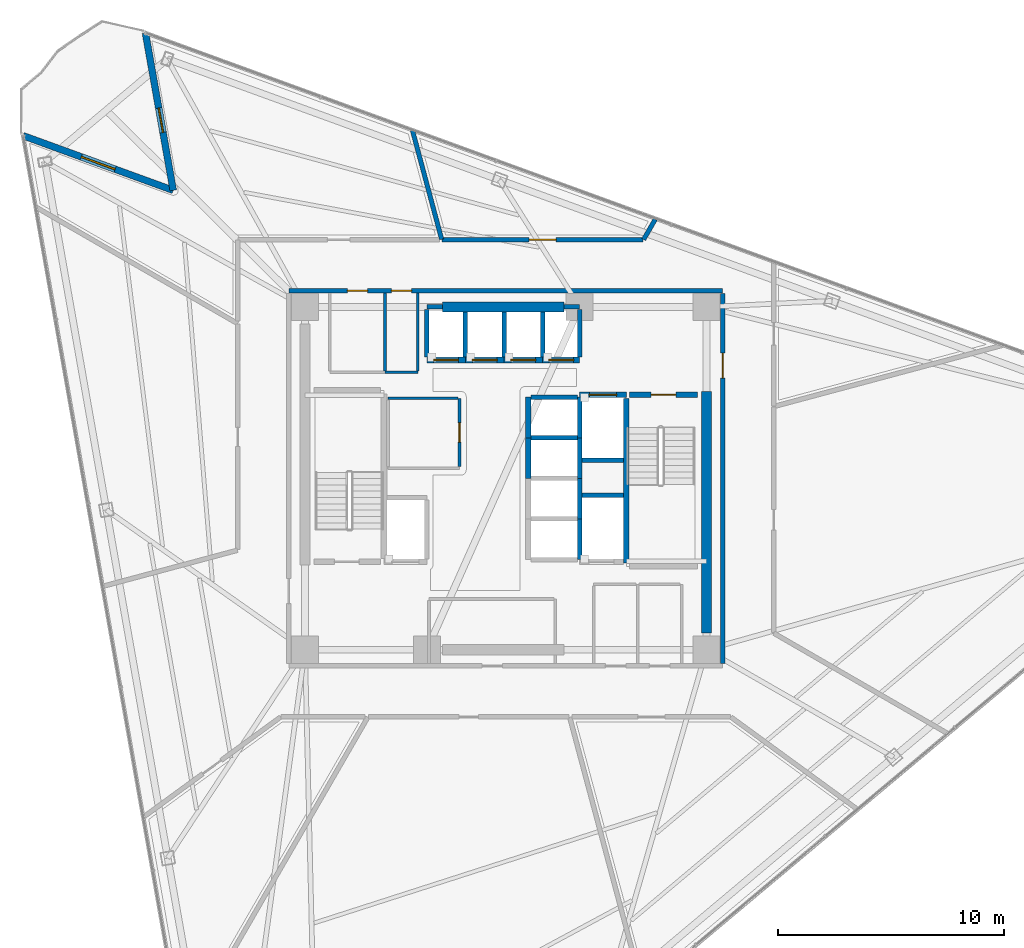
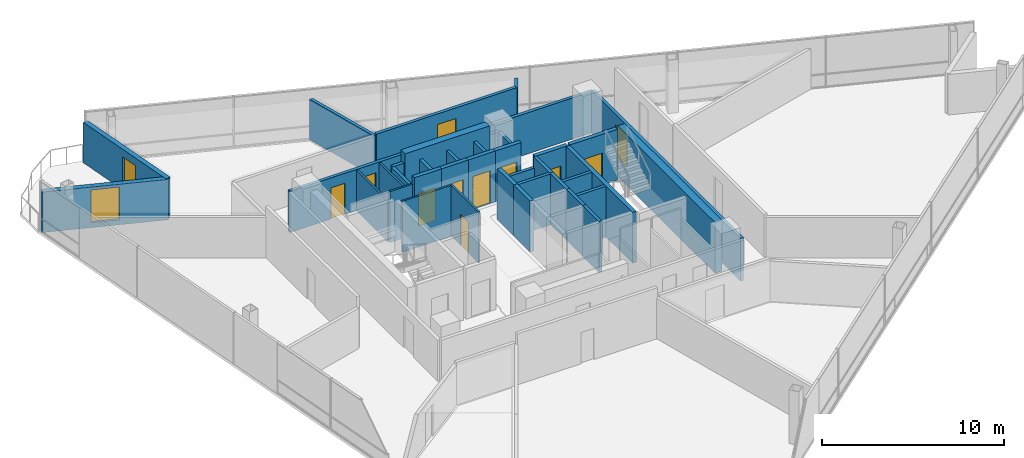
# One storey, part 11 of 15: 38 walls, 12 doors, 1 window, 13 openings.
"""IFC4 building model written with IfcOpenShell, lengths in metres."""

from ifc_helpers import new_model, si_unit, direction, frame, frame_2d, origin, place, context, subcontext, project, spatial, rectangle, extrude, material, layer, layer_set, type_object, element, fill, save


model = new_model("IFC4")

# Units and contexts
model_context = context("Model", 3, precision=1e-05, world=origin(), true_north=direction((0.0, 1.0)))
body_context = subcontext(model_context, "Body", "Model", "MODEL_VIEW")
ifc_project = project(units=[si_unit("LENGTHUNIT", "METRE"), si_unit("AREAUNIT", "SQUARE_METRE"), si_unit("VOLUMEUNIT", "CUBIC_METRE"), si_unit("PLANEANGLEUNIT", "RADIAN"), si_unit("MASSUNIT", "GRAM", prefix="KILO")], contexts=[model_context])

# Site, building, storey
site_placement = place(None, origin())
site = spatial("IfcSite", under=ifc_project, at=site_placement, CompositionType="ELEMENT")
building_placement = place(site_placement, origin())
building = spatial("IfcBuilding", under=site, at=building_placement, Name="Tharavind Bronze Gate", CompositionType="ELEMENT")
storey_placement = place(building_placement, frame((0.0, 0.0, 177.699951171875)))
storey = spatial("IfcBuildingStorey", under=building, at=storey_placement, Name="L45", CompositionType="ELEMENT", Elevation=177.699951171875)

# Wall, opening, door
ifc_material_1 = material(Name="Concrete C40/50", Category="concrete")
ifc_layer_1 = layer(ifc_material_1, 0.300048828125)
ifc_layer_set_1 = layer_set([ifc_layer_1], Name="Concrete C40/50")
wall_type_1 = type_object("IfcWallType", Name="EXTERIOR SPANDREL WALL 300", PredefinedType="STANDARD", material=ifc_layer_set_1)
wall_1_placement = place(storey_placement, frame((-15.97314453125, 19.743408203125, 0.0), z_axis=(0.0, 0.0, 1.0), x_axis=(0.173651569749, -0.984807154891, 0.0)))
wall_1 = element("IfcWall", 1, at=wall_1_placement, inside=storey, type_object=wall_type_1, Name="L45 notch cheek wall 1A", PredefinedType="STANDARD", context=body_context, shape_type="SweptSolid", body=[
    extrude(rectangle(XDim=7.080322265625, YDim=0.300048828125, at=frame_2d((3.5400390625, 0.0))), origin(), (0.0, 0.0, 1.0), 2.715087890625),
])
opening_1_placement = place(wall_1_placement, frame((3.3720703125, 0.0, 0.0)))
opening_1 = element("IfcOpeningElement", 2, at=opening_1_placement, cuts=wall_1, Name="Opening ED04", PredefinedType="OPENING", context=body_context, shape_type="SweptSolid", body=[
    extrude(rectangle(XDim=1.10009765625, YDim=2.199951171875, at=frame_2d((0.550048828125, 1.10009765625))), frame((0.0, 0.15990234375, 0.0), z_axis=(0.0, -1.0, 0.0), x_axis=(1.0, 0.0, 0.0)), (0.0, 0.0, 1.0), 0.320048828125),
])
ifc_material_2 = material(Name="Bronze Aluminium & Toughened Glass", Category="aluminium")
door_type_1 = type_object("IfcDoorType", Name="TREE BALCONY ACCESS DOOR 1100X2200", OperationType="SINGLE_SWING_LEFT", PredefinedType="DOOR", material=ifc_material_2)
door_1_placement = place(opening_1_placement, frame((1.10009765625, 0.0, 0.0), z_axis=(0.0, 0.0, 1.0), x_axis=(-1.0, 0.0, 0.0)))
door_1 = element("IfcDoor", 3, at=door_1_placement, inside=storey, type_object=door_type_1, Name="L45 tree balcony access door", OperationType="SINGLE_SWING_LEFT", OverallHeight=2.199951171875, OverallWidth=1.10009765625, PredefinedType="DOOR", context=body_context, shape_type="SweptSolid", body=[
    extrude(rectangle(XDim=1.10009765625, YDim=2.199951171875, at=frame_2d((0.550048828125, 1.10009765625))), frame((0.0, 0.02490234375, 0.0), z_axis=(0.0, -1.0, 0.0), x_axis=(1.0, 0.0, 0.0)), (0.0, 0.0, 1.0), 0.050048828125),
])
fill(opening_1, door_1)

# Wall, opening, window
wall_2_placement = place(storey_placement, frame((-14.74365234375, 12.770751953125, 0.0), z_axis=(0.0, 0.0, 1.0), x_axis=(-0.939687665182, 0.342033758429, 0.0)))
wall_2 = element("IfcWall", 4, at=wall_2_placement, inside=storey, type_object=wall_type_1, Name="L45 notch cheek wall 1B", PredefinedType="STANDARD", context=body_context, shape_type="SweptSolid", body=[
    extrude(rectangle(XDim=7.080078125, YDim=0.300048828125, at=frame_2d((3.5400390625, 0.0))), origin(), (0.0, 0.0, 1.0), 2.715087890625),
])
opening_2_placement = place(wall_2_placement, frame((2.739990234375, 0.0, 0.3349609375)))
opening_2 = element("IfcOpeningElement", 5, at=opening_2_placement, cuts=wall_2, Name="Opening W05", PredefinedType="OPENING", context=body_context, shape_type="SweptSolid", body=[
    extrude(rectangle(XDim=1.60009765625, YDim=2.199951171875, at=frame_2d((0.800048828125, 1.10009765625))), frame((0.0, 0.15990234375, 0.0), z_axis=(0.0, -1.0, 0.0), x_axis=(1.0, 0.0, 0.0)), (0.0, 0.0, 1.0), 0.320048828125),
])
ifc_material_3 = material(Name="Bronze Aluminium & Low-E Glass", Category="aluminium")
window_type = type_object("IfcWindowType", Name="OFFICE NOTCH BRONZE WINDOW 1600X2200", PartitioningType="DOUBLE_PANEL_VERTICAL", PredefinedType="WINDOW", material=ifc_material_3)
window_placement = place(opening_2_placement, origin())
window = element("IfcWindow", 6, at=window_placement, inside=storey, type_object=window_type, Name="L45 exterior window WL-L45-NCB1-01", OverallHeight=2.199951171875, OverallWidth=1.60009765625, PartitioningType="SINGLE_PANEL", PredefinedType="WINDOW", context=body_context, shape_type="SweptSolid", body=[
    extrude(rectangle(XDim=1.60009765625, YDim=2.199951171875, at=frame_2d((0.800048828125, 1.10009765625))), frame((0.0, 0.030029296875, 0.0), z_axis=(0.0, -1.0, 0.0), x_axis=(1.0, 0.0, 0.0)), (0.0, 0.0, 1.0), 0.06005859375),
])
fill(opening_2, window)

# Wall, openings, doors
ifc_material_4 = material(Name="Aerated Concrete Block", Category="concrete")
ifc_layer_2 = layer(ifc_material_4, 0.199951171875)
ifc_layer_set_2 = layer_set([ifc_layer_2], Name="Aerated Concrete Block")
wall_type_2 = type_object("IfcWallType", Name="FIRE RATED PARTITION 200", PredefinedType="PARTITIONING", material=ifc_layer_set_2)
wall_3_placement = place(storey_placement, frame((9.6201171875, 8.320068359375, 0.0), z_axis=(0.0, 0.0, 1.0), x_axis=(-1.0, 0.0, 0.0)))
wall_3 = element("IfcWall", 7, at=wall_3_placement, inside=storey, type_object=wall_type_2, Name="L45 north core corridor wall", PredefinedType="PARTITIONING", context=body_context, shape_type="SweptSolid", body=[
    extrude(rectangle(XDim=19.240234375, YDim=0.199951171875, at=frame_2d((9.6201171875, 0.0))), origin(), (0.0, 0.0, 1.0), 2.76513671875),
])
opening_3_placement = place(wall_3_placement, frame((15.7451171875, 0.0, 0.0)))
opening_3 = element("IfcOpeningElement", 8, at=opening_3_placement, cuts=wall_3, Name="Opening ID07", PredefinedType="OPENING", context=body_context, shape_type="SweptSolid", body=[
    extrude(rectangle(XDim=0.89990234375, YDim=2.10009765625, at=frame_2d((0.449951171875, 1.050048828125))), frame((0.0, 0.11009765625, 0.0), z_axis=(0.0, -1.0, 0.0), x_axis=(1.0, 0.0, 0.0)), (0.0, 0.0, 1.0), 0.219951171875),
])
opening_4_placement = place(wall_3_placement, frame((13.794921875, 0.0, 0.0)))
opening_4 = element("IfcOpeningElement", 9, at=opening_4_placement, cuts=wall_3, Name="Opening ID07", PredefinedType="OPENING", context=body_context, shape_type="SweptSolid", body=[
    extrude(rectangle(XDim=0.89990234375, YDim=2.10009765625, at=frame_2d((0.449951171875, 1.050048828125))), frame((0.0, 0.11009765625, 0.0), z_axis=(0.0, -1.0, 0.0), x_axis=(1.0, 0.0, 0.0)), (0.0, 0.0, 1.0), 0.219951171875),
])
ifc_material_5 = material(Name="Galvanised Fire Steel", Category="steel")
door_type_2 = type_object("IfcDoorType", Name="PLANT AND RISER FIRE DOOR 900X2100", OperationType="SINGLE_SWING_LEFT", PredefinedType="DOOR", material=ifc_material_5)
door_2_placement = place(opening_3_placement, origin())
door_2 = element("IfcDoor", 10, at=door_2_placement, inside=storey, type_object=door_type_2, Name="L45 Electrical Metering Room fire door", OperationType="SINGLE_SWING_LEFT", OverallHeight=2.10009765625, OverallWidth=0.89990234375, PredefinedType="DOOR", context=body_context, shape_type="SweptSolid", body=[
    extrude(rectangle(XDim=0.89990234375, YDim=2.10009765625, at=frame_2d((0.449951171875, 1.050048828125))), frame((0.0, 0.02490234375, 0.0), z_axis=(0.0, -1.0, 0.0), x_axis=(1.0, 0.0, 0.0)), (0.0, 0.0, 1.0), 0.050048828125),
])
fill(opening_3, door_2)
door_3_placement = place(opening_4_placement, origin())
door_3 = element("IfcDoor", 11, at=door_3_placement, inside=storey, type_object=door_type_2, Name="L45 Linen Cupboard fire door", OperationType="SINGLE_SWING_LEFT", OverallHeight=2.10009765625, OverallWidth=0.89990234375, PredefinedType="DOOR", context=body_context, shape_type="SweptSolid", body=[
    extrude(rectangle(XDim=0.89990234375, YDim=2.10009765625, at=frame_2d((0.449951171875, 1.050048828125))), frame((0.0, 0.02490234375, 0.0), z_axis=(0.0, -1.0, 0.0), x_axis=(1.0, 0.0, 0.0)), (0.0, 0.0, 1.0), 0.050048828125),
])
fill(opening_4, door_3)

# Wall, opening, door
wall_4_placement = place(storey_placement, frame((9.6201171875, -8.199951171875, 0.0), z_axis=(0.0, 0.0, 1.0), x_axis=(0.0, 1.0, 0.0)))
wall_4 = element("IfcWall", 12, at=wall_4_placement, inside=storey, type_object=wall_type_2, Name="L45 east core corridor wall", PredefinedType="PARTITIONING", context=body_context, shape_type="SweptSolid", body=[
    extrude(rectangle(XDim=16.39990234375, YDim=0.199951171875, at=frame_2d((8.199951171875, 0.0))), origin(), (0.0, 0.0, 1.0), 2.864990234375),
])
opening_5_placement = place(wall_4_placement, frame((12.64990234375, 0.0, 0.0)))
opening_5 = element("IfcOpeningElement", 13, at=opening_5_placement, cuts=wall_4, Name="Opening ID01", PredefinedType="OPENING", context=body_context, shape_type="SweptSolid", body=[
    extrude(rectangle(XDim=1.10009765625, YDim=2.14990234375, at=frame_2d((0.550048828125, 1.074951171875))), frame((0.0, 0.11009765625, 0.0), z_axis=(0.0, -1.0, 0.0), x_axis=(1.0, 0.0, 0.0)), (0.0, 0.0, 1.0), 0.219951171875),
])
ifc_material_6 = material(Name="Fire-Rated Steel", Category="steel")
door_type_3 = type_object("IfcDoorType", Name="STAIR CORE FIRE DOOR 1100X2150", OperationType="SINGLE_SWING_LEFT", PredefinedType="DOOR", material=ifc_material_6)
door_4_placement = place(opening_5_placement, frame((1.10009765625, 0.0, 0.0), z_axis=(0.0, 0.0, 1.0), x_axis=(-1.0, 0.0, 0.0)))
door_4 = element("IfcDoor", 14, at=door_4_placement, inside=storey, type_object=door_type_3, Name="L45 north east stair lobby fire door", OperationType="SINGLE_SWING_LEFT", OverallHeight=2.14990234375, OverallWidth=1.10009765625, PredefinedType="DOOR", context=body_context, shape_type="SweptSolid", body=[
    extrude(rectangle(XDim=1.10009765625, YDim=2.14990234375, at=frame_2d((0.550048828125, 1.074951171875))), frame((0.0, 0.02490234375, 0.0), z_axis=(0.0, -1.0, 0.0), x_axis=(1.0, 0.0, 0.0)), (0.0, 0.0, 1.0), 0.050048828125),
])
fill(opening_5, door_4)

# Wall
wall_5_placement = place(storey_placement, frame((6.630859375, 11.48486328125, 0.0), z_axis=(0.0, 0.0, 1.0), x_axis=(-0.500139438976, -0.865944883685, 0.0)))
element("IfcWall", 15, at=wall_5_placement, inside=storey, type_object=wall_type_2, Name="L45 Underwriting Room partition", PredefinedType="PARTITIONING", context=body_context, shape_type="SweptSolid", body=[
    extrude(rectangle(XDim=1.030517578125, YDim=0.199951171875, at=frame_2d((0.51513671875, 0.0))), origin(), (0.0, 0.0, 1.0), 2.715087890625),
])

# Wall, opening, door
wall_6_placement = place(storey_placement, frame((6.093994140625, 10.580078125, 0.0), z_axis=(0.0, 0.0, 1.0), x_axis=(-1.0, 0.0, 0.0)))
wall_6 = element("IfcWall", 16, at=wall_6_placement, inside=storey, type_object=wall_type_2, Name="L45 Underwriting Room partition", PredefinedType="PARTITIONING", context=body_context, shape_type="SweptSolid", body=[
    extrude(rectangle(XDim=8.90966796875, YDim=0.199951171875, at=frame_2d((4.454833984375, 0.0))), origin(), (0.0, 0.0, 1.0), 2.864990234375),
])
opening_6_placement = place(wall_6_placement, frame((3.85498046875, 0.0, 0.0)))
opening_6 = element("IfcOpeningElement", 17, at=opening_6_placement, cuts=wall_6, Name="Opening ID05", PredefinedType="OPENING", context=body_context, shape_type="SweptSolid", body=[
    extrude(rectangle(XDim=1.199951171875, YDim=2.14990234375, at=frame_2d((0.60009765625, 1.074951171875))), frame((0.0, 0.11009765625, 0.0), z_axis=(0.0, -1.0, 0.0), x_axis=(1.0, 0.0, 0.0)), (0.0, 0.0, 1.0), 0.219951171875),
])
ifc_material_7 = material(Name="Acoustic Laminated Glass", Category="glass")
door_type_4 = type_object("IfcDoorType", Name="MEETING ROOM GLAZED DOOR 1200X2150", OperationType="SINGLE_SWING_LEFT", PredefinedType="DOOR", material=ifc_material_7)
door_5_placement = place(opening_6_placement, origin())
door_5 = element("IfcDoor", 18, at=door_5_placement, inside=storey, type_object=door_type_4, Name="L45 Underwriting Room door", OperationType="SINGLE_SWING_LEFT", OverallHeight=2.14990234375, OverallWidth=1.199951171875, PredefinedType="DOOR", context=body_context, shape_type="SweptSolid", body=[
    extrude(rectangle(XDim=1.199951171875, YDim=2.14990234375, at=frame_2d((0.60009765625, 1.074951171875))), frame((0.0, 0.02490234375, 0.0), z_axis=(0.0, -1.0, 0.0), x_axis=(1.0, 0.0, 0.0)), (0.0, 0.0, 1.0), 0.050048828125),
])
fill(opening_6, door_5)

# Wall
wall_7_placement = place(storey_placement, frame((-2.83984375, 10.598388671875, 0.0), z_axis=(0.0, 0.0, 1.0), x_axis=(-0.258815701251, 0.965926722265, 0.0)))
element("IfcWall", 19, at=wall_7_placement, inside=storey, type_object=wall_type_2, Name="L45 Underwriting Room partition", PredefinedType="PARTITIONING", context=body_context, shape_type="SweptSolid", body=[
    extrude(rectangle(XDim=5.007080078125, YDim=0.199951171875, at=frame_2d((2.50341796875, 0.0))), origin(), (0.0, 0.0, 1.0), 2.715087890625),
])

# Wall, opening, door
ifc_material_8 = material(Name="Metal Stud Gypsum Partition", Category="gypsum")
ifc_layer_3 = layer(ifc_material_8, 0.1201171875)
ifc_layer_set_3 = layer_set([ifc_layer_3], Name="Metal Stud Gypsum Partition")
wall_type_3 = type_object("IfcWallType", Name="INTERIOR PARTITION WALL 120", PredefinedType="PARTITIONING", material=ifc_layer_set_3)
wall_8_placement = place(storey_placement, frame((-2.050048828125, 0.514892578125, 0.0), z_axis=(0.0, 0.0, 1.0), x_axis=(0.0, 1.0, 0.0)))
wall_8 = element("IfcWall", 20, at=wall_8_placement, inside=storey, type_object=wall_type_3, Name="L45 Electrical & Telecom Store partition 2", PredefinedType="PARTITIONING", context=body_context, shape_type="SweptSolid", body=[
    extrude(rectangle(XDim=3.03515625, YDim=0.1201171875, at=frame_2d((1.517578125, 0.0))), origin(), (0.0, 0.0, 1.0), 3.420166015625),
])
opening_7_placement = place(wall_8_placement, frame((1.092041015625, 0.0, 0.0)))
opening_7 = element("IfcOpeningElement", 21, at=opening_7_placement, cuts=wall_8, Name="Opening ID06", PredefinedType="OPENING", context=body_context, shape_type="SweptSolid", body=[
    extrude(rectangle(XDim=0.85009765625, YDim=2.10009765625, at=frame_2d((0.425048828125, 1.050048828125))), frame((0.0, 0.07005859375, 0.0), z_axis=(0.0, -1.0, 0.0), x_axis=(1.0, 0.0, 0.0)), (0.0, 0.0, 1.0), 0.1401171875),
])
ifc_material_9 = material(Name="Moisture-Resistant Timber", Category="wood")
door_type_5 = type_object("IfcDoorType", Name="BATHROOM PRIVACY DOOR 850X2100", OperationType="SINGLE_SWING_RIGHT", PredefinedType="DOOR", material=ifc_material_9)
door_6_placement = place(opening_7_placement, frame((0.85009765625, 0.0, 0.0), z_axis=(0.0, 0.0, 1.0), x_axis=(-1.0, 0.0, 0.0)))
door_6 = element("IfcDoor", 22, at=door_6_placement, inside=storey, type_object=door_type_5, Name="L45 Electrical & Telecom Store door", OperationType="SINGLE_SWING_RIGHT", OverallHeight=2.10009765625, OverallWidth=0.85009765625, PredefinedType="DOOR", context=body_context, shape_type="SweptSolid", body=[
    extrude(rectangle(XDim=0.85009765625, YDim=2.10009765625, at=frame_2d((0.425048828125, 1.050048828125))), frame((0.0, 0.02490234375, 0.0), z_axis=(0.0, -1.0, 0.0), x_axis=(1.0, 0.0, 0.0)), (0.0, 0.0, 1.0), 0.050048828125),
])
fill(opening_7, door_6)

# Walls
wall_9_placement = place(storey_placement, frame((-2.114990234375, 3.550048828125, 0.0), z_axis=(0.0, 0.0, 1.0), x_axis=(-1.0, 0.0, 0.0)))
element("IfcWall", 23, at=wall_9_placement, inside=storey, type_object=wall_type_3, Name="L45 Electrical & Telecom Store partition 3", PredefinedType="PARTITIONING", context=body_context, shape_type="SweptSolid", body=[
    extrude(rectangle(XDim=3.10498046875, YDim=0.1201171875, at=frame_2d((1.552490234375, 0.0))), origin(), (0.0, 0.0, 1.0), 3.420166015625),
])
wall_10_placement = place(storey_placement, frame((-5.35009765625, 4.764892578125, 0.0), z_axis=(0.0, 0.0, 1.0), x_axis=(0.0, 1.0, 0.0)))
element("IfcWall", 24, at=wall_10_placement, inside=storey, type_object=wall_type_3, Name="L45 Electrical Metering Room partition 2", PredefinedType="PARTITIONING", context=body_context, shape_type="SweptSolid", body=[
    extrude(rectangle(XDim=3.4501953125, YDim=0.1201171875, at=frame_2d((1.72509765625, 0.0))), origin(), (0.0, 0.0, 1.0), 2.715087890625),
])
wall_11_placement = place(storey_placement, frame((-5.35009765625, 4.699951171875, 0.0), z_axis=(0.0, 0.0, 1.0), x_axis=(1.0, 0.0, 0.0)))
element("IfcWall", 25, at=wall_11_placement, inside=storey, type_object=wall_type_3, Name="L45 Linen Cupboard partition 1", PredefinedType="PARTITIONING", context=body_context, shape_type="SweptSolid", body=[
    extrude(rectangle(XDim=1.4501953125, YDim=0.1201171875, at=frame_2d((0.72509765625, 0.0))), origin(), (0.0, 0.0, 1.0), 3.420166015625),
])
wall_12_placement = place(storey_placement, frame((-3.89990234375, 4.764892578125, 0.0), z_axis=(0.0, 0.0, 1.0), x_axis=(0.0, 1.0, 0.0)))
element("IfcWall", 26, at=wall_12_placement, inside=storey, type_object=wall_type_3, Name="L45 Linen Cupboard partition 2", PredefinedType="PARTITIONING", context=body_context, shape_type="SweptSolid", body=[
    extrude(rectangle(XDim=3.4501953125, YDim=0.1201171875, at=frame_2d((1.72509765625, 0.0))), origin(), (0.0, 0.0, 1.0), 2.715087890625),
])
ifc_material_10 = material(Name="Concrete C50/60", Category="concrete")
ifc_layer_4 = layer(ifc_material_10, 0.25)
ifc_layer_set_4 = layer_set([ifc_layer_4], Name="Concrete C50/60")
wall_type_4 = type_object("IfcWallType", Name="RC CORE SHEAR WALL 250", PredefinedType="SHEAR", material=ifc_layer_set_4)
wall_13_placement = place(storey_placement, frame((5.35009765625, -3.75, 0.0), z_axis=(0.0, 0.0, 1.0), x_axis=(0.0, 1.0, 0.0)))
element("IfcWall", 27, at=wall_13_placement, inside=storey, type_object=wall_type_4, Name="L45 ST2 shaft west wall", PredefinedType="SHEAR", context=body_context, shape_type="SweptSolid", body=[
    extrude(rectangle(XDim=7.300048828125, YDim=0.25, at=frame_2d((3.64990234375, 0.0))), origin(), (0.0, 0.0, 1.0), 3.420166015625),
])

# Wall, opening, door
wall_14_placement = place(storey_placement, frame((5.5, 3.699951171875, 0.0), z_axis=(0.0, 0.0, 1.0), x_axis=(1.0, 0.0, 0.0)))
wall_14 = element("IfcWall", 28, at=wall_14_placement, inside=storey, type_object=wall_type_4, Name="L45 ST2 shaft north wall", PredefinedType="SHEAR", context=body_context, shape_type="SweptSolid", body=[
    extrude(rectangle(XDim=3.0, YDim=0.25, at=frame_2d((1.5, 0.0))), origin(), (0.0, 0.0, 1.0), 3.420166015625),
])
opening_8_placement = place(wall_14_placement, frame((0.949951171875, 0.0, 0.0)))
opening_8 = element("IfcOpeningElement", 29, at=opening_8_placement, cuts=wall_14, Name="Opening ID01", PredefinedType="OPENING", context=body_context, shape_type="SweptSolid", body=[
    extrude(rectangle(XDim=1.10009765625, YDim=2.14990234375, at=frame_2d((0.550048828125, 1.074951171875))), frame((0.0, 0.135, 0.0), z_axis=(0.0, -1.0, 0.0), x_axis=(1.0, 0.0, 0.0)), (0.0, 0.0, 1.0), 0.27),
])
door_7_placement = place(opening_8_placement, frame((1.10009765625, 0.0, 0.0), z_axis=(0.0, 0.0, 1.0), x_axis=(-1.0, 0.0, 0.0)))
door_7 = element("IfcDoor", 30, at=door_7_placement, inside=storey, type_object=door_type_3, Name="L45 exit stair ST2 fire door", OperationType="SINGLE_SWING_LEFT", OverallHeight=2.14990234375, OverallWidth=1.10009765625, PredefinedType="DOOR", context=body_context, shape_type="SweptSolid", body=[
    extrude(rectangle(XDim=1.10009765625, YDim=2.14990234375, at=frame_2d((0.550048828125, 1.074951171875))), frame((0.0, 0.02490234375, 0.0), z_axis=(0.0, -1.0, 0.0), x_axis=(1.0, 0.0, 0.0)), (0.0, 0.0, 1.0), 0.050048828125),
])
fill(opening_8, door_7)

wall_15_placement = place(storey_placement, frame((-3.5, 5.25, 0.0), z_axis=(0.0, 0.0, 1.0), x_axis=(1.0, 0.0, 0.0)))
wall_15 = element("IfcWall", 31, at=wall_15_placement, inside=storey, type_object=wall_type_4, Name="L45 lift PL5 shaft front wall", PredefinedType="SHEAR", context=body_context, shape_type="SweptSolid", body=[
    extrude(rectangle(XDim=1.71240234375, YDim=0.25, at=frame_2d((0.856201171875, 0.0))), origin(), (0.0, 0.0, 1.0), 3.420166015625),
])
opening_9_placement = place(wall_15_placement, frame((0.305908203125, 0.0, 0.0)))
opening_9 = element("IfcOpeningElement", 32, at=opening_9_placement, cuts=wall_15, Name="Opening LD01", PredefinedType="OPENING", context=body_context, shape_type="SweptSolid", body=[
    extrude(rectangle(XDim=1.10009765625, YDim=2.199951171875, at=frame_2d((0.550048828125, 1.10009765625))), frame((0.0, 0.135, 0.0), z_axis=(0.0, -1.0, 0.0), x_axis=(1.0, 0.0, 0.0)), (0.0, 0.0, 1.0), 0.27),
])
ifc_material_11 = material(Name="Brushed Bronze Stainless Steel", Category="steel")
door_type_6 = type_object("IfcDoorType", Name="LIFT LANDING SLIDING DOOR 1100X2200", OperationType="SLIDING_TO_LEFT", PredefinedType="DOOR", material=ifc_material_11)
door_8_placement = place(opening_9_placement, origin())
door_8 = element("IfcDoor", 33, at=door_8_placement, inside=storey, type_object=door_type_6, Name="L45 lift PL5 sliding landing door", OperationType="SLIDING_TO_LEFT", OverallHeight=2.199951171875, OverallWidth=1.10009765625, PredefinedType="DOOR", context=body_context, shape_type="SweptSolid", body=[
    extrude(rectangle(XDim=1.10009765625, YDim=2.199951171875, at=frame_2d((0.550048828125, 1.10009765625))), frame((0.0, 0.02490234375, 0.0), z_axis=(0.0, -1.0, 0.0), x_axis=(1.0, 0.0, 0.0)), (0.0, 0.0, 1.0), 0.050048828125),
])
fill(opening_9, door_8)

wall_16_placement = place(storey_placement, frame((-1.78759765625, 5.25, 0.0), z_axis=(0.0, 0.0, 1.0), x_axis=(1.0, 0.0, 0.0)))
wall_16 = element("IfcWall", 34, at=wall_16_placement, inside=storey, type_object=wall_type_4, Name="L45 lift PL6 shaft front wall", PredefinedType="SHEAR", context=body_context, shape_type="SweptSolid", body=[
    extrude(rectangle(XDim=1.712646484375, YDim=0.25, at=frame_2d((0.8564453125, 0.0))), origin(), (0.0, 0.0, 1.0), 3.420166015625),
])
opening_10_placement = place(wall_16_placement, frame((0.305908203125, 0.0, 0.0)))
opening_10 = element("IfcOpeningElement", 35, at=opening_10_placement, cuts=wall_16, Name="Opening LD01", PredefinedType="OPENING", context=body_context, shape_type="SweptSolid", body=[
    extrude(rectangle(XDim=1.10009765625, YDim=2.199951171875, at=frame_2d((0.550048828125, 1.10009765625))), frame((0.0, 0.135, 0.0), z_axis=(0.0, -1.0, 0.0), x_axis=(1.0, 0.0, 0.0)), (0.0, 0.0, 1.0), 0.27),
])
door_9_placement = place(opening_10_placement, origin())
door_9 = element("IfcDoor", 36, at=door_9_placement, inside=storey, type_object=door_type_6, Name="L45 lift PL6 sliding landing door", OperationType="SLIDING_TO_LEFT", OverallHeight=2.199951171875, OverallWidth=1.10009765625, PredefinedType="DOOR", context=body_context, shape_type="SweptSolid", body=[
    extrude(rectangle(XDim=1.10009765625, YDim=2.199951171875, at=frame_2d((0.550048828125, 1.10009765625))), frame((0.0, 0.02490234375, 0.0), z_axis=(0.0, -1.0, 0.0), x_axis=(1.0, 0.0, 0.0)), (0.0, 0.0, 1.0), 0.050048828125),
])
fill(opening_10, door_9)

wall_17_placement = place(storey_placement, frame((-0.074951171875, 5.25, 0.0), z_axis=(0.0, 0.0, 1.0), x_axis=(1.0, 0.0, 0.0)))
wall_17 = element("IfcWall", 37, at=wall_17_placement, inside=storey, type_object=wall_type_4, Name="L45 lift PL7 shaft front wall", PredefinedType="SHEAR", context=body_context, shape_type="SweptSolid", body=[
    extrude(rectangle(XDim=1.71240234375, YDim=0.25, at=frame_2d((0.856201171875, 0.0))), origin(), (0.0, 0.0, 1.0), 3.420166015625),
])
opening_11_placement = place(wall_17_placement, frame((0.305908203125, 0.0, 0.0)))
opening_11 = element("IfcOpeningElement", 38, at=opening_11_placement, cuts=wall_17, Name="Opening LD01", PredefinedType="OPENING", context=body_context, shape_type="SweptSolid", body=[
    extrude(rectangle(XDim=1.10009765625, YDim=2.199951171875, at=frame_2d((0.550048828125, 1.10009765625))), frame((0.0, 0.135, 0.0), z_axis=(0.0, -1.0, 0.0), x_axis=(1.0, 0.0, 0.0)), (0.0, 0.0, 1.0), 0.27),
])
door_10_placement = place(opening_11_placement, origin())
door_10 = element("IfcDoor", 39, at=door_10_placement, inside=storey, type_object=door_type_6, Name="L45 lift PL7 sliding landing door", OperationType="SLIDING_TO_LEFT", OverallHeight=2.199951171875, OverallWidth=1.10009765625, PredefinedType="DOOR", context=body_context, shape_type="SweptSolid", body=[
    extrude(rectangle(XDim=1.10009765625, YDim=2.199951171875, at=frame_2d((0.550048828125, 1.10009765625))), frame((0.0, 0.02490234375, 0.0), z_axis=(0.0, -1.0, 0.0), x_axis=(1.0, 0.0, 0.0)), (0.0, 0.0, 1.0), 0.050048828125),
])
fill(opening_11, door_10)

wall_18_placement = place(storey_placement, frame((1.637451171875, 5.25, 0.0), z_axis=(0.0, 0.0, 1.0), x_axis=(1.0, 0.0, 0.0)))
wall_18 = element("IfcWall", 40, at=wall_18_placement, inside=storey, type_object=wall_type_4, Name="L45 lift PL8 shaft front wall", PredefinedType="SHEAR", context=body_context, shape_type="SweptSolid", body=[
    extrude(rectangle(XDim=1.642578125, YDim=0.25, at=frame_2d((0.8212890625, 0.0))), origin(), (0.0, 0.0, 1.0), 3.420166015625),
])
opening_12_placement = place(wall_18_placement, frame((0.27099609375, 0.0, 0.0)))
opening_12 = element("IfcOpeningElement", 41, at=opening_12_placement, cuts=wall_18, Name="Opening LD01", PredefinedType="OPENING", context=body_context, shape_type="SweptSolid", body=[
    extrude(rectangle(XDim=1.10009765625, YDim=2.199951171875, at=frame_2d((0.550048828125, 1.10009765625))), frame((0.0, 0.135, 0.0), z_axis=(0.0, -1.0, 0.0), x_axis=(1.0, 0.0, 0.0)), (0.0, 0.0, 1.0), 0.27),
])
door_11_placement = place(opening_12_placement, origin())
door_11 = element("IfcDoor", 42, at=door_11_placement, inside=storey, type_object=door_type_6, Name="L45 lift PL8 sliding landing door", OperationType="SLIDING_TO_LEFT", OverallHeight=2.199951171875, OverallWidth=1.10009765625, PredefinedType="DOOR", context=body_context, shape_type="SweptSolid", body=[
    extrude(rectangle(XDim=1.10009765625, YDim=2.199951171875, at=frame_2d((0.550048828125, 1.10009765625))), frame((0.0, 0.02490234375, 0.0), z_axis=(0.0, -1.0, 0.0), x_axis=(1.0, 0.0, 0.0)), (0.0, 0.0, 1.0), 0.050048828125),
])
fill(opening_12, door_11)

# Walls
for number, where, z_axis, x_axis, name in (
    (43, (1.0, 0.0, 0.0), (0.0, 0.0, 1.0), (0.0, 1.0, 0.0), "L45 lift PL11 shaft front wall"),
    (44, (1.0, 1.800048828125, 0.0), (0.0, 0.0, 1.0), (0.0, 1.0, 0.0), "L45 lift PL12 shaft front wall"),
):
    element("IfcWall", number, at=place(storey_placement, frame(where, z_axis=z_axis, x_axis=x_axis)), inside=storey, type_object=wall_type_4, Name=name, PredefinedType="SHEAR", context=body_context, shape_type="SweptSolid", body=[
        extrude(rectangle(XDim=1.800048828125, YDim=0.25, at=frame_2d((0.89990234375, 0.0))), origin(), (0.0, 0.0, 1.0), 3.420166015625),
    ])

# Wall, opening, door
wall_19_placement = place(storey_placement, frame((3.280029296875, 3.699951171875, 0.0), z_axis=(0.0, 0.0, 1.0), x_axis=(1.0, 0.0, 0.0)))
wall_19 = element("IfcWall", 45, at=wall_19_placement, inside=storey, type_object=wall_type_4, Name="L45 lift FFL2 shaft front wall", PredefinedType="SHEAR", context=body_context, shape_type="SweptSolid", body=[
    extrude(rectangle(XDim=2.070068359375, YDim=0.25, at=frame_2d((1.03515625, 0.0))), origin(), (0.0, 0.0, 1.0), 3.420166015625),
])
opening_13_placement = place(wall_19_placement, frame((0.43505859375, 0.0, 0.0)))
opening_13 = element("IfcOpeningElement", 46, at=opening_13_placement, cuts=wall_19, Name="Opening LD02", PredefinedType="OPENING", context=body_context, shape_type="SweptSolid", body=[
    extrude(rectangle(XDim=1.199951171875, YDim=2.199951171875, at=frame_2d((0.60009765625, 1.10009765625))), frame((0.0, 0.135, 0.0), z_axis=(0.0, -1.0, 0.0), x_axis=(1.0, 0.0, 0.0)), (0.0, 0.0, 1.0), 0.27),
])
ifc_material_12 = material(Name="Brushed Stainless Steel", Category="steel")
door_type_7 = type_object("IfcDoorType", Name="FIREFIGHTING LIFT LANDING DOOR 1200X2200", OperationType="SLIDING_TO_RIGHT", PredefinedType="DOOR", material=ifc_material_12)
door_12_placement = place(opening_13_placement, origin())
door_12 = element("IfcDoor", 47, at=door_12_placement, inside=storey, type_object=door_type_7, Name="L45 lift FFL2 sliding landing door", OperationType="SLIDING_TO_RIGHT", OverallHeight=2.199951171875, OverallWidth=1.199951171875, PredefinedType="DOOR", context=body_context, shape_type="SweptSolid", body=[
    extrude(rectangle(XDim=1.199951171875, YDim=2.199951171875, at=frame_2d((0.60009765625, 1.10009765625))), frame((0.0, 0.02490234375, 0.0), z_axis=(0.0, -1.0, 0.0), x_axis=(1.0, 0.0, 0.0)), (0.0, 0.0, 1.0), 0.050048828125),
])
fill(opening_13, door_12)

# Walls
ifc_material_13 = material(Name="Concrete C60/75", Category="concrete")
ifc_layer_5 = layer(ifc_material_13, 0.449951171875)
ifc_layer_set_5 = layer_set([ifc_layer_5], Name="Concrete C60/75")
wall_type_5 = type_object("IfcWallType", Name="RC CORE SHEAR WALL 450", PredefinedType="SHEAR", material=ifc_layer_set_5)
wall_20_placement = place(storey_placement, frame((-2.800048828125, 7.60009765625, 0.0), z_axis=(0.0, 0.0, 1.0), x_axis=(1.0, 0.0, 0.0)))
element("IfcWall", 48, at=wall_20_placement, inside=storey, type_object=wall_type_5, Name="L45 north core shear wall", PredefinedType="SHEAR", context=body_context, shape_type="SweptSolid", body=[
    extrude(rectangle(XDim=5.380126953125, YDim=0.449951171875, at=frame_2d((2.68994140625, 0.0))), origin(), (0.0, 0.0, 1.0), 3.420166015625),
])
wall_21_placement = place(storey_placement, frame((8.89990234375, -6.85009765625, 0.0), z_axis=(0.0, 0.0, 1.0), x_axis=(0.0, 1.0, 0.0)))
element("IfcWall", 49, at=wall_21_placement, inside=storey, type_object=wall_type_5, Name="L45 east core shear wall", PredefinedType="SHEAR", context=body_context, shape_type="SweptSolid", body=[
    extrude(rectangle(XDim=10.7001953125, YDim=0.449951171875, at=frame_2d((5.35009765625, 0.0))), origin(), (0.0, 0.0, 1.0), 3.420166015625),
])
ifc_layer_6 = layer(ifc_material_1, 0.199951171875)
ifc_layer_set_6 = layer_set([ifc_layer_6], Name="Concrete C40/50")
wall_type_6 = type_object("IfcWallType", Name="SHAFT ENCLOSURE WALL 200", PredefinedType="PARTITIONING", material=ifc_layer_set_6)
wall_22_placement = place(storey_placement, frame((-3.5, 7.60009765625, 0.0), z_axis=(0.0, 0.0, 1.0), x_axis=(1.0, 0.0, 0.0)))
element("IfcWall", 50, at=wall_22_placement, inside=storey, type_object=wall_type_6, Name="L45 lift PL5 shaft N enclosure wall", PredefinedType="PARTITIONING", context=body_context, shape_type="SweptSolid", body=[
    extrude(rectangle(XDim=0.699951171875, YDim=0.199951171875, at=frame_2d((0.35009765625, 0.0))), origin(), (0.0, 0.0, 1.0), 2.715087890625),
])
wall_23_placement = place(storey_placement, frame((-3.5, 5.3798828125, 0.0), z_axis=(0.0, 0.0, 1.0), x_axis=(0.0, 1.0, 0.0)))
element("IfcWall", 51, at=wall_23_placement, inside=storey, type_object=wall_type_6, Name="L45 lift PL5 shaft W enclosure wall", PredefinedType="PARTITIONING", context=body_context, shape_type="SweptSolid", body=[
    extrude(rectangle(XDim=2.115234375, YDim=0.199951171875, at=frame_2d((1.0576171875, 0.0))), origin(), (0.0, 0.0, 1.0), 2.715087890625),
])
for number, where, z_axis, x_axis, name in (
    (52, (-1.78759765625, 5.3798828125, 0.0), (0.0, 0.0, 1.0), (0.0, 1.0, 0.0), "L45 lift PL5 shaft E enclosure wall"),
    (53, (-0.074951171875, 5.3798828125, 0.0), (0.0, 0.0, 1.0), (0.0, 1.0, 0.0), "L45 lift PL6 shaft E enclosure wall"),
    (54, (1.637451171875, 5.3798828125, 0.0), (0.0, 0.0, 1.0), (0.0, 1.0, 0.0), "L45 lift PL7 shaft E enclosure wall"),
):
    element("IfcWall", number, at=place(storey_placement, frame(where, z_axis=z_axis, x_axis=x_axis)), inside=storey, type_object=wall_type_6, Name=name, PredefinedType="PARTITIONING", context=body_context, shape_type="SweptSolid", body=[
        extrude(rectangle(XDim=1.990234375, YDim=0.199951171875, at=frame_2d((0.9951171875, 0.0))), origin(), (0.0, 0.0, 1.0), 2.715087890625),
    ])
wall_24_placement = place(storey_placement, frame((2.580078125, 7.60009765625, 0.0), z_axis=(0.0, 0.0, 1.0), x_axis=(1.0, 0.0, 0.0)))
element("IfcWall", 55, at=wall_24_placement, inside=storey, type_object=wall_type_6, Name="L45 lift PL8 shaft N enclosure wall", PredefinedType="PARTITIONING", context=body_context, shape_type="SweptSolid", body=[
    extrude(rectangle(XDim=0.699951171875, YDim=0.199951171875, at=frame_2d((0.35009765625, 0.0))), origin(), (0.0, 0.0, 1.0), 2.715087890625),
])
wall_25_placement = place(storey_placement, frame((3.280029296875, 5.3798828125, 0.0), z_axis=(0.0, 0.0, 1.0), x_axis=(0.0, 1.0, 0.0)))
element("IfcWall", 56, at=wall_25_placement, inside=storey, type_object=wall_type_6, Name="L45 lift PL8 shaft E enclosure wall", PredefinedType="PARTITIONING", context=body_context, shape_type="SweptSolid", body=[
    extrude(rectangle(XDim=2.115234375, YDim=0.199951171875, at=frame_2d((1.0576171875, 0.0))), origin(), (0.0, 0.0, 1.0), 2.715087890625),
])
for number, where, z_axis, x_axis, name in (
    (57, (3.280029296875, -3.60009765625, 0.0), (0.0, 0.0, 1.0), (0.0, 1.0, 0.0), "L45 lift PL9 shaft E enclosure wall"),
    (58, (3.280029296875, -1.800048828125, 0.0), (0.0, 0.0, 1.0), (0.0, 1.0, 0.0), "L45 lift PL10 shaft E enclosure wall"),
    (59, (3.280029296875, 0.0, 0.0), (0.0, 0.0, 1.0), (0.0, 1.0, 0.0), "L45 lift PL11 shaft E enclosure wall"),
):
    element("IfcWall", number, at=place(storey_placement, frame(where, z_axis=z_axis, x_axis=x_axis)), inside=storey, type_object=wall_type_6, Name=name, PredefinedType="PARTITIONING", context=body_context, shape_type="SweptSolid", body=[
        extrude(rectangle(XDim=1.800048828125, YDim=0.199951171875, at=frame_2d((0.89990234375, 0.0))), origin(), (0.0, 0.0, 1.0), 3.420166015625),
    ])
wall_26_placement = place(storey_placement, frame((1.1298828125, 1.800048828125, 0.0), z_axis=(0.0, 0.0, 1.0), x_axis=(1.0, 0.0, 0.0)))
element("IfcWall", 60, at=wall_26_placement, inside=storey, type_object=wall_type_6, Name="L45 lift PL11 shaft N enclosure wall", PredefinedType="PARTITIONING", context=body_context, shape_type="SweptSolid", body=[
    extrude(rectangle(XDim=2.045166015625, YDim=0.199951171875, at=frame_2d((1.0224609375, 0.0))), origin(), (0.0, 0.0, 1.0), 3.420166015625),
])
wall_27_placement = place(storey_placement, frame((3.280029296875, 1.800048828125, 0.0), z_axis=(0.0, 0.0, 1.0), x_axis=(0.0, 1.0, 0.0)))
element("IfcWall", 61, at=wall_27_placement, inside=storey, type_object=wall_type_6, Name="L45 lift PL12 shaft E enclosure wall", PredefinedType="PARTITIONING", context=body_context, shape_type="SweptSolid", body=[
    extrude(rectangle(XDim=1.800048828125, YDim=0.199951171875, at=frame_2d((0.89990234375, 0.0))), origin(), (0.0, 0.0, 1.0), 3.420166015625),
])
wall_28_placement = place(storey_placement, frame((1.1298828125, 3.60009765625, 0.0), z_axis=(0.0, 0.0, 1.0), x_axis=(1.0, 0.0, 0.0)))
element("IfcWall", 62, at=wall_28_placement, inside=storey, type_object=wall_type_6, Name="L45 lift PL12 shaft N enclosure wall", PredefinedType="PARTITIONING", context=body_context, shape_type="SweptSolid", body=[
    extrude(rectangle(XDim=2.045166015625, YDim=0.199951171875, at=frame_2d((1.0224609375, 0.0))), origin(), (0.0, 0.0, 1.0), 2.715087890625),
])
for number, where, z_axis, x_axis, name in (
    (63, (3.385009765625, 0.800048828125, 0.0), (0.0, 0.0, 1.0), (1.0, 0.0, 0.0), "L45 lift FFL2 shaft S enclosure wall"),
    (64, (3.385009765625, -0.75, 0.0), (0.0, 0.0, 1.0), (1.0, 0.0, 0.0), "L45 lift SVL1 shaft N enclosure wall"),
):
    element("IfcWall", number, at=place(storey_placement, frame(where, z_axis=z_axis, x_axis=x_axis)), inside=storey, type_object=wall_type_6, Name=name, PredefinedType="PARTITIONING", context=body_context, shape_type="SweptSolid", body=[
        extrude(rectangle(XDim=1.8349609375, YDim=0.199951171875, at=frame_2d((0.91748046875, 0.0))), origin(), (0.0, 0.0, 1.0), 3.420166015625),
    ])

save(model, "model.ifc")
